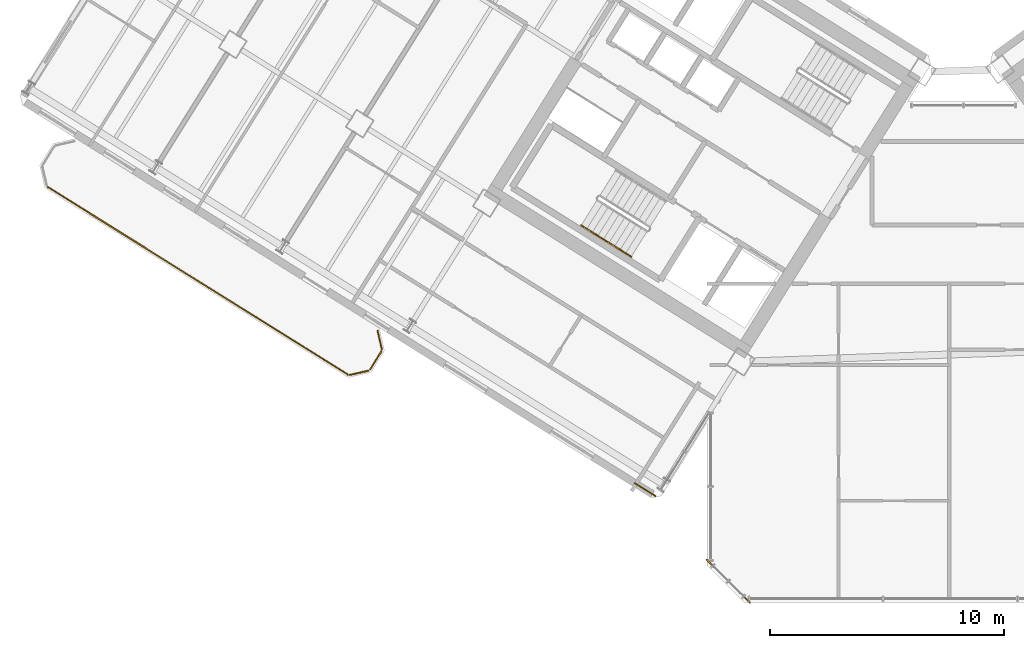
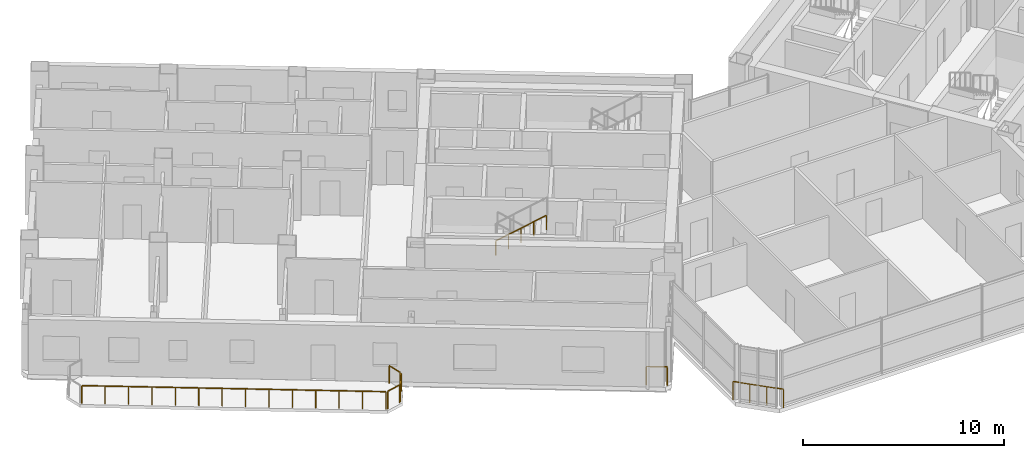
# One storey, part 22 of 25: 8 railings.
"""IFC4 building model written with IfcOpenShell, lengths in metres."""

from ifc_helpers import new_model, si_unit, direction, frame, origin, origin_2d, place, context, subcontext, project, spatial, rectangle, extrude, source, transform, mapped, material, type_object, element, save


model = new_model("IFC4")

# Units and contexts
model_context = context("Model", 3, precision=1e-05, world=origin(), true_north=direction((0.0, 1.0)))
body_context = subcontext(model_context, "Body", "Model", "MODEL_VIEW")
ifc_project = project(units=[si_unit("LENGTHUNIT", "METRE"), si_unit("AREAUNIT", "SQUARE_METRE"), si_unit("VOLUMEUNIT", "CUBIC_METRE"), si_unit("PLANEANGLEUNIT", "RADIAN"), si_unit("MASSUNIT", "GRAM", prefix="KILO")], contexts=[model_context])

# Site, building, storey
site_placement = place(None, origin())
site = spatial("IfcSite", under=ifc_project, at=site_placement, CompositionType="ELEMENT")
building_placement = place(site_placement, origin())
building = spatial("IfcBuilding", under=site, at=building_placement, Name="Tlacorven Tower", CompositionType="ELEMENT")
storey_placement = place(building_placement, frame((0.0, 0.0, 162.300048828125)))
storey = spatial("IfcBuildingStorey", under=building, at=storey_placement, Name="L41", CompositionType="ELEMENT", Elevation=162.300048828125)

# Railings
ifc_material = material(Name="Aluminium and painted steel balustrade", Category="steel")
railing_type_1 = type_object("IfcRailingType", Name="RL-BAL-1100", PredefinedType="BALUSTRADE", material=ifc_material)
shared_shape_1 = source(origin(), body_context, "Body", "SweptSolid", [
    extrude(rectangle(XDim=0.048095703125, YDim=0.048095703125, at=origin_2d()), frame((0.0, 0.0, 1.076171875), z_axis=(0.225058334816, -0.974345290916, 0.0), x_axis=(0.974345290916, 0.225058334816, 0.0)), (0.0, 0.0, 1.0), 0.80712890625),
    extrude(rectangle(XDim=0.0419921875, YDim=0.0419921875, at=origin_2d()), origin(), (0.0, 0.0, 1.0), 1.052001953125),
    extrude(rectangle(XDim=0.0419921875, YDim=0.0419921875, at=origin_2d()), frame((0.181640625, -0.786376953125, 0.0)), (0.0, 0.0, 1.0), 1.052001953125),
])
railing_1_placement = place(storey_placement, frame((17.5244140625, 13.413330078125, 0.0)))
element("IfcRailing", 1, at=railing_1_placement, inside=storey, type_object=railing_type_1, Name="BAL-L41-W-OUT Guard Railing 1", PredefinedType="BALUSTRADE", context=body_context, shape_type="MappedRepresentation", body=[
    mapped(shared_shape_1, transform((0.0, 0.0, 0.0), scale=1.0)),
])
shared_shape_2 = source(origin(), body_context, "Body", "SweptSolid", [
    extrude(rectangle(XDim=0.048095703125, YDim=0.048095703125, at=origin_2d()), frame((0.0, 0.0, 1.076171875), z_axis=(-0.52987865805, -0.848073468364, 0.0), x_axis=(0.848073468364, -0.52987865805, 0.0)), (0.0, 0.0, 1.0), 0.912353515625),
    extrude(rectangle(XDim=0.0419921875, YDim=0.0419921875, at=origin_2d()), origin(), (0.0, 0.0, 1.0), 1.052001953125),
    extrude(rectangle(XDim=0.0419921875, YDim=0.0419921875, at=origin_2d()), frame((-0.4833984375, -0.773681640625, 0.0)), (0.0, 0.0, 1.0), 1.052001953125),
])
railing_2_placement = place(storey_placement, frame((17.690673828125, 12.535888671875, 0.0)))
element("IfcRailing", 2, at=railing_2_placement, inside=storey, type_object=railing_type_1, Name="BAL-L41-W-OUT Guard Railing 2", PredefinedType="BALUSTRADE", context=body_context, shape_type="MappedRepresentation", body=[
    mapped(shared_shape_2, transform((0.0, 0.0, 0.0), scale=1.0)),
])
shared_shape_3 = source(origin(), body_context, "Body", "SweptSolid", [
    extrude(rectangle(XDim=0.048095703125, YDim=0.048095703125, at=origin_2d()), frame((0.0, 0.0, 1.076171875), z_axis=(-0.974411586182, -0.224771129628, 0.0), x_axis=(0.224771129628, -0.974411586182, 0.0)), (0.0, 0.0, 1.0), 0.80712890625),
    extrude(rectangle(XDim=0.0419921875, YDim=0.0419921875, at=origin_2d()), origin(), (0.0, 0.0, 1.0), 1.052001953125),
    extrude(rectangle(XDim=0.0419921875, YDim=0.0419921875, at=origin_2d()), frame((-0.786376953125, -0.181396484375, 0.0)), (0.0, 0.0, 1.0), 1.052001953125),
])
railing_3_placement = place(storey_placement, frame((17.132080078125, 11.70849609375, 0.0)))
element("IfcRailing", 3, at=railing_3_placement, inside=storey, type_object=railing_type_1, Name="BAL-L41-W-OUT Guard Railing 3", PredefinedType="BALUSTRADE", context=body_context, shape_type="MappedRepresentation", body=[
    mapped(shared_shape_3, transform((0.0, 0.0, 0.0), scale=1.0)),
])
shared_shape_4 = source(origin(), body_context, "Body", "SweptSolid", [
    extrude(rectangle(XDim=0.048095703125, YDim=0.048095703125, at=origin_2d()), frame((0.0, 0.0, 1.076171875), z_axis=(-0.848044572804, 0.529924902733, 0.0), x_axis=(-0.529924902733, -0.848044572804, 0.0)), (0.0, 0.0, 1.0), 15.1171875),
    extrude(rectangle(XDim=0.0419921875, YDim=0.0419921875, at=origin_2d()), origin(), (0.0, 0.0, 1.0), 1.052001953125),
    extrude(rectangle(XDim=0.0419921875, YDim=0.0419921875, at=origin_2d()), frame((-0.986083984375, 0.6162109375, 0.0)), (0.0, 0.0, 1.0), 1.052001953125),
    extrude(rectangle(XDim=0.0419921875, YDim=0.0419921875, at=origin_2d()), frame((-1.972412109375, 1.232421875, 0.0)), (0.0, 0.0, 1.0), 1.052001953125),
    extrude(rectangle(XDim=0.0419921875, YDim=0.0419921875, at=origin_2d()), frame((-2.95849609375, 1.8486328125, 0.0)), (0.0, 0.0, 1.0), 1.052001953125),
    extrude(rectangle(XDim=0.0419921875, YDim=0.0419921875, at=origin_2d()), frame((-3.944580078125, 2.46484375, 0.0)), (0.0, 0.0, 1.0), 1.052001953125),
    extrude(rectangle(XDim=0.0419921875, YDim=0.0419921875, at=origin_2d()), frame((-4.930908203125, 3.0810546875, 0.0)), (0.0, 0.0, 1.0), 1.052001953125),
    extrude(rectangle(XDim=0.0419921875, YDim=0.0419921875, at=origin_2d()), frame((-5.9169921875, 3.697265625, 0.0)), (0.0, 0.0, 1.0), 1.052001953125),
    extrude(rectangle(XDim=0.0419921875, YDim=0.0419921875, at=origin_2d()), frame((-6.903076171875, 4.313720703125, 0.0)), (0.0, 0.0, 1.0), 1.052001953125),
    extrude(rectangle(XDim=0.0419921875, YDim=0.0419921875, at=origin_2d()), frame((-7.88916015625, 4.929931640625, 0.0)), (0.0, 0.0, 1.0), 1.052001953125),
    extrude(rectangle(XDim=0.0419921875, YDim=0.0419921875, at=origin_2d()), frame((-8.87548828125, 5.546142578125, 0.0)), (0.0, 0.0, 1.0), 1.052001953125),
    extrude(rectangle(XDim=0.0419921875, YDim=0.0419921875, at=origin_2d()), frame((-9.861572265625, 6.162353515625, 0.0)), (0.0, 0.0, 1.0), 1.052001953125),
    extrude(rectangle(XDim=0.0419921875, YDim=0.0419921875, at=origin_2d()), frame((-10.84765625, 6.778564453125, 0.0)), (0.0, 0.0, 1.0), 1.052001953125),
    extrude(rectangle(XDim=0.0419921875, YDim=0.0419921875, at=origin_2d()), frame((-11.833984375, 7.394775390625, 0.0)), (0.0, 0.0, 1.0), 1.052001953125),
    extrude(rectangle(XDim=0.0419921875, YDim=0.0419921875, at=origin_2d()), frame((-12.820068359375, 8.010986328125, 0.0)), (0.0, 0.0, 1.0), 1.052001953125),
])
railing_4_placement = place(storey_placement, frame((16.254638671875, 11.542236328125, 0.0)))
element("IfcRailing", 4, at=railing_4_placement, inside=storey, type_object=railing_type_1, Name="BAL-L41-W-OUT Guard Railing 4", PredefinedType="BALUSTRADE", context=body_context, shape_type="MappedRepresentation", body=[
    mapped(shared_shape_4, transform((0.0, 0.0, 0.0), scale=1.0)),
])
railing_type_2 = type_object("IfcRailingType", Name="RL-GRD-1150", PredefinedType="GUARDRAIL", material=ifc_material)
shared_shape_5 = source(origin(), body_context, "Body", "SweptSolid", [
    extrude(rectangle(XDim=0.048095703125, YDim=0.048095703125, at=origin_2d()), frame((0.0, 0.0, 1.1259765625), z_axis=(-0.707106781187, 0.707106781187, 0.0), x_axis=(-0.707106781187, -0.707106781187, 0.0)), (0.0, 0.0, 1.0), 2.590087890625),
    extrude(rectangle(XDim=0.0419921875, YDim=0.0419921875, at=origin_2d()), origin(), (0.0, 0.0, 1.0), 1.101806640625),
    extrude(rectangle(XDim=0.0419921875, YDim=0.0419921875, at=origin_2d()), frame((-0.610595703125, 0.610595703125, 0.0)), (0.0, 0.0, 1.0), 1.101806640625),
    extrude(rectangle(XDim=0.0419921875, YDim=0.0419921875, at=origin_2d()), frame((-1.220947265625, 1.220947265625, 0.0)), (0.0, 0.0, 1.0), 1.101806640625),
    extrude(rectangle(XDim=0.0419921875, YDim=0.0419921875, at=origin_2d()), frame((-1.83154296875, 1.83154296875, 0.0)), (0.0, 0.0, 1.0), 1.101806640625),
])
railing_5_placement = place(storey_placement, frame((33.428955078125, 1.79736328125, 0.0)))
element("IfcRailing", 5, at=railing_5_placement, inside=storey, type_object=railing_type_2, Name="L41 Knuckle Glazed Sill Guard 1", PredefinedType="GUARDRAIL", context=body_context, shape_type="MappedRepresentation", body=[
    mapped(shared_shape_5, transform((0.0, 0.0, 0.0), scale=1.0)),
])
shared_shape_6 = source(origin(), body_context, "Body", "SweptSolid", [
    extrude(rectangle(XDim=0.048095703125, YDim=0.048095703125, at=origin_2d()), frame((0.0, 0.0, 1.1259765625), z_axis=(-0.848102774857, 0.529831749973, 0.0), x_axis=(-0.529831749973, -0.848102774857, 0.0)), (0.0, 0.0, 1.0), 1.050048828125),
    extrude(rectangle(XDim=0.0419921875, YDim=0.0419921875, at=origin_2d()), origin(), (0.0, 0.0, 1.0), 1.101806640625),
    extrude(rectangle(XDim=0.0419921875, YDim=0.0419921875, at=origin_2d()), frame((-0.890625, 0.556396484375, 0.0)), (0.0, 0.0, 1.0), 1.101806640625),
])
railing_6_placement = place(storey_placement, frame((29.39501953125, 6.35009765625, 0.0)))
element("IfcRailing", 6, at=railing_6_placement, inside=storey, type_object=railing_type_2, Name="L41 Knuckle Glazed Sill Guard 2", PredefinedType="GUARDRAIL", context=body_context, shape_type="MappedRepresentation", body=[
    mapped(shared_shape_6, transform((0.0, 0.0, 0.0), scale=1.0)),
])
railing_type_3 = type_object("IfcRailingType", Name="RL-HND-0900", PredefinedType="HANDRAIL", material=ifc_material)
shared_shape_7 = source(origin(), body_context, "Body", "SweptSolid", [
    extrude(rectangle(XDim=0.048095703125, YDim=0.048095703125, at=origin_2d()), frame((0.0, 0.0, 0.8759765625), z_axis=(0.713359751793, -0.4457479829, 0.540764828981), x_axis=(0.529911857636, 0.848052724267, 0.0)), (0.0, 0.0, 1.0), 1.498046875),
    extrude(rectangle(XDim=0.0419921875, YDim=0.0419921875, at=origin_2d()), origin(), (0.0, 0.0, 1.0), 0.851806640625),
    extrude(rectangle(XDim=0.0419921875, YDim=0.0419921875, at=origin_2d()), frame((0.5341796875, -0.333984375, 0.405029296875)), (0.0, 0.0, 1.0), 0.851806640625),
    extrude(rectangle(XDim=0.0419921875, YDim=0.0419921875, at=origin_2d()), frame((1.068603515625, -0.667724609375, 0.81005859375)), (0.0, 0.0, 1.0), 0.851806640625),
])
railing_7_placement = place(storey_placement, frame((26.228759765625, 17.915283203125, 1.97998046875)))
element("IfcRailing", 7, at=railing_7_placement, inside=storey, type_object=railing_type_3, Name="L41 ST-W1 stair handrail 3", PredefinedType="HANDRAIL", context=body_context, shape_type="MappedRepresentation", body=[
    mapped(shared_shape_7, transform((0.0, 0.0, 0.0), scale=1.0)),
])
shared_shape_8 = source(origin(), body_context, "Body", "SweptSolid", [
    extrude(rectangle(XDim=0.048095703125, YDim=0.048095703125, at=origin_2d()), frame((0.0, 0.0, 0.8759765625), z_axis=(0.713342573076, -0.445839108173, 0.540712366292), x_axis=(0.529998940003, 0.847998304005, 0.0)), (0.0, 0.0, 1.0), 1.49755859375),
    extrude(rectangle(XDim=0.0419921875, YDim=0.0419921875, at=origin_2d()), origin(), (0.0, 0.0, 1.0), 0.851806640625),
    extrude(rectangle(XDim=0.0419921875, YDim=0.0419921875, at=origin_2d()), frame((0.5341796875, -0.333984375, 0.40478515625)), (0.0, 0.0, 1.0), 0.851806640625),
    extrude(rectangle(XDim=0.0419921875, YDim=0.0419921875, at=origin_2d()), frame((1.068359375, -0.667724609375, 0.809814453125)), (0.0, 0.0, 1.0), 0.851806640625),
])
railing_8_placement = place(storey_placement, frame((27.29736328125, 17.24755859375, 2.7900390625)))
element("IfcRailing", 8, at=railing_8_placement, inside=storey, type_object=railing_type_3, Name="L41 ST-W1 stair handrail 4", PredefinedType="HANDRAIL", context=body_context, shape_type="MappedRepresentation", body=[
    mapped(shared_shape_8, transform((0.0, 0.0, 0.0), scale=1.0)),
])

save(model, "model.ifc")
